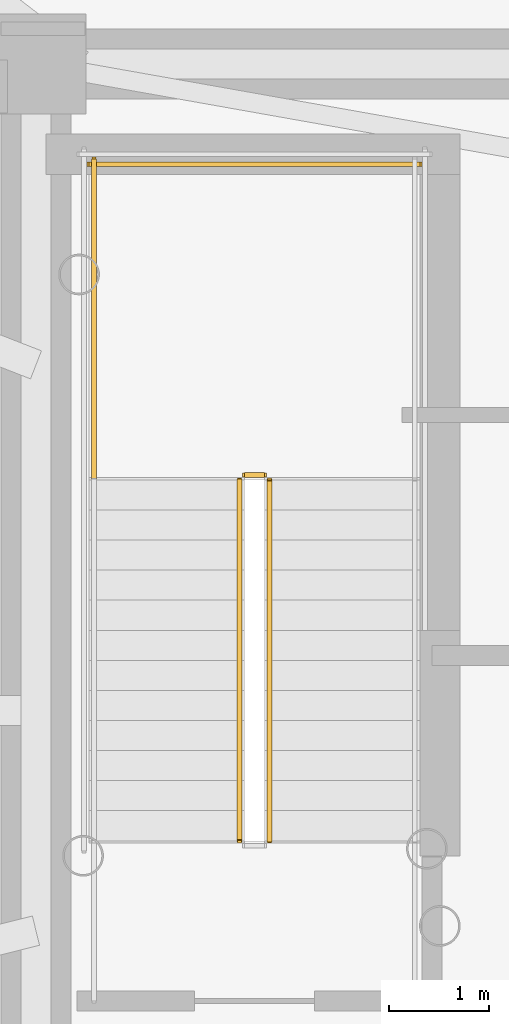
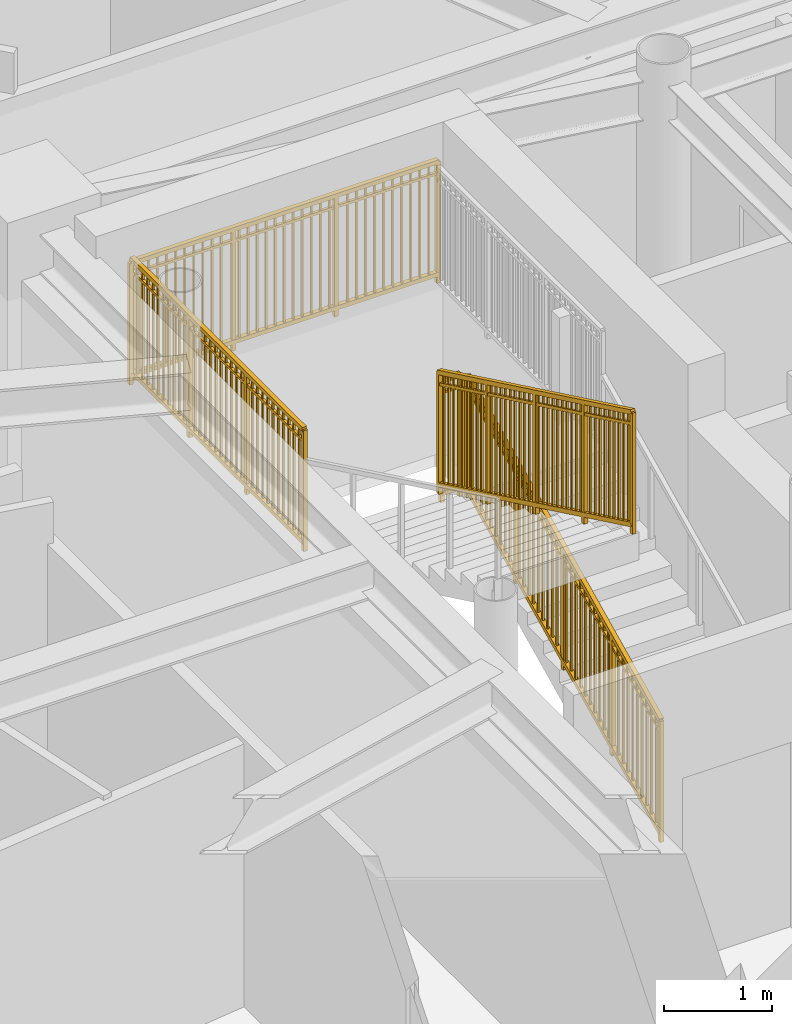
# One storey, part 13 of 17: 5 railings.
"""IFC4 building model written with IfcOpenShell, lengths in metres."""

from ifc_helpers import new_model, si_unit, direction, frame, origin, origin_2d, place, context, subcontext, project, spatial, rectangle, extrude, source, transform, mapped, material, type_object, element, save


model = new_model("IFC4")

# Units and contexts
model_context = context("Model", 3, precision=1e-05, world=origin(), true_north=direction((0.0, 1.0)))
body_context = subcontext(model_context, "Body", "Model", "MODEL_VIEW")
ifc_project = project(units=[si_unit("LENGTHUNIT", "METRE"), si_unit("AREAUNIT", "SQUARE_METRE"), si_unit("VOLUMEUNIT", "CUBIC_METRE"), si_unit("PLANEANGLEUNIT", "RADIAN"), si_unit("MASSUNIT", "GRAM", prefix="KILO")], contexts=[model_context])

# Site, building, storey
site_placement = place(None, origin())
site = spatial("IfcSite", under=ifc_project, at=site_placement, CompositionType="ELEMENT")
building_placement = place(site_placement, origin())
building = spatial("IfcBuilding", under=site, at=building_placement, Name="Linh Dai School and Residence Tower", CompositionType="ELEMENT")
storey_placement = place(building_placement, frame((0.0, 0.0, 303.0)))
storey = spatial("IfcBuildingStorey", under=building, at=storey_placement, Name="L75", CompositionType="ELEMENT", Elevation=303.0)

# Railings
ifc_material = material(Name="Structural Steel S355JR", Category="steel")
railing_type = type_object("IfcRailingType", Name="RL-ST-GUARD-1400", PredefinedType="GUARDRAIL", material=ifc_material)
shared_shape_1 = source(origin(), body_context, "Body", "SweptSolid", [
    extrude(rectangle(XDim=0.048095703125, YDim=0.048095703125, at=origin_2d()), frame((0.0, 0.0, 1.3759765625), z_axis=(-1.0, 0.0, 0.0), x_axis=(0.0, -1.0, 0.0)), (0.0, 0.0, 1.0), 0.199951171875),
    extrude(rectangle(XDim=0.048095703125, YDim=0.048095703125, at=origin_2d()), frame((0.0, 0.0, 0.10009765625), z_axis=(-1.0, 0.0, 0.0), x_axis=(0.0, -1.0, 0.0)), (0.0, 0.0, 1.0), 0.199951171875),
    extrude(rectangle(XDim=0.030029296875, YDim=0.030029296875, at=origin_2d()), frame((0.0, 0.0, 1.239990234375), z_axis=(-1.0, 0.0, 0.0), x_axis=(0.0, -1.0, 0.0)), (0.0, 0.0, 1.0), 0.199951171875),
    extrude(rectangle(XDim=0.0419921875, YDim=0.0419921875, at=origin_2d()), origin(), (0.0, 0.0, 1.0), 1.3759765625),
    extrude(rectangle(XDim=0.0419921875, YDim=0.0419921875, at=origin_2d()), frame((-0.199951171875, 0.0, 0.0)), (0.0, 0.0, 1.0), 1.3759765625),
])
railing_1_placement = place(storey_placement, frame((29.429931640625, 29.35009765625, 1.875)))
element("IfcRailing", 1, at=railing_1_placement, inside=storey, type_object=railing_type, Name="L75 ST1 stair guard 2", PredefinedType="GUARDRAIL", context=body_context, shape_type="MappedRepresentation", body=[
    mapped(shared_shape_1, transform((0.0, 0.0, 0.0), x_axis=(1.0, 0.0, 0.0), y_axis=(0.0, 1.0, 0.0), z_axis=(0.0, 0.0, 1.0), scale=1.0)),
])
shared_shape_2 = source(origin(), body_context, "Body", "SweptSolid", [
    extrude(rectangle(XDim=0.048095703125, YDim=0.048095703125, at=origin_2d()), frame((0.0, 0.0, 1.3759765625), z_axis=(-1.0, 0.0, 0.0), x_axis=(0.0, -1.0, 0.0)), (0.0, 0.0, 1.0), 3.300048828125),
    extrude(rectangle(XDim=0.048095703125, YDim=0.048095703125, at=origin_2d()), frame((0.0, 0.0, 0.10009765625), z_axis=(-1.0, 0.0, 0.0), x_axis=(0.0, -1.0, 0.0)), (0.0, 0.0, 1.0), 3.300048828125),
    extrude(rectangle(XDim=0.030029296875, YDim=0.030029296875, at=origin_2d()), frame((0.0, 0.0, 1.239990234375), z_axis=(-1.0, 0.0, 0.0), x_axis=(0.0, -1.0, 0.0)), (0.0, 0.0, 1.0), 3.300048828125),
    extrude(rectangle(XDim=0.02001953125, YDim=0.02001953125, at=origin_2d()), frame((-0.09716796875, 0.0, 0.10009765625)), (0.0, 0.0, 1.0), 1.251708984375),
    extrude(rectangle(XDim=0.02001953125, YDim=0.02001953125, at=origin_2d()), frame((-0.194091796875, 0.0, 0.10009765625)), (0.0, 0.0, 1.0), 1.251708984375),
    extrude(rectangle(XDim=0.02001953125, YDim=0.02001953125, at=origin_2d()), frame((-0.291259765625, 0.0, 0.10009765625)), (0.0, 0.0, 1.0), 1.251708984375),
    extrude(rectangle(XDim=0.02001953125, YDim=0.02001953125, at=origin_2d()), frame((-0.38818359375, 0.0, 0.10009765625)), (0.0, 0.0, 1.0), 1.251708984375),
    extrude(rectangle(XDim=0.02001953125, YDim=0.02001953125, at=origin_2d()), frame((-0.4853515625, 0.0, 0.10009765625)), (0.0, 0.0, 1.0), 1.251708984375),
    extrude(rectangle(XDim=0.02001953125, YDim=0.02001953125, at=origin_2d()), frame((-0.582275390625, 0.0, 0.10009765625)), (0.0, 0.0, 1.0), 1.251708984375),
    extrude(rectangle(XDim=0.02001953125, YDim=0.02001953125, at=origin_2d()), frame((-0.679443359375, 0.0, 0.10009765625)), (0.0, 0.0, 1.0), 1.251708984375),
    extrude(rectangle(XDim=0.02001953125, YDim=0.02001953125, at=origin_2d()), frame((-0.7763671875, 0.0, 0.10009765625)), (0.0, 0.0, 1.0), 1.251708984375),
    extrude(rectangle(XDim=0.02001953125, YDim=0.02001953125, at=origin_2d()), frame((-0.87353515625, 0.0, 0.10009765625)), (0.0, 0.0, 1.0), 1.251708984375),
    extrude(rectangle(XDim=0.02001953125, YDim=0.02001953125, at=origin_2d()), frame((-0.970703125, 0.0, 0.10009765625)), (0.0, 0.0, 1.0), 1.251708984375),
    extrude(rectangle(XDim=0.02001953125, YDim=0.02001953125, at=origin_2d()), frame((-1.164794921875, 0.0, 0.10009765625)), (0.0, 0.0, 1.0), 1.251708984375),
    extrude(rectangle(XDim=0.02001953125, YDim=0.02001953125, at=origin_2d()), frame((-1.26171875, 0.0, 0.10009765625)), (0.0, 0.0, 1.0), 1.251708984375),
    extrude(rectangle(XDim=0.02001953125, YDim=0.02001953125, at=origin_2d()), frame((-1.35888671875, 0.0, 0.10009765625)), (0.0, 0.0, 1.0), 1.251708984375),
    extrude(rectangle(XDim=0.02001953125, YDim=0.02001953125, at=origin_2d()), frame((-1.455810546875, 0.0, 0.10009765625)), (0.0, 0.0, 1.0), 1.251708984375),
    extrude(rectangle(XDim=0.02001953125, YDim=0.02001953125, at=origin_2d()), frame((-1.552978515625, 0.0, 0.10009765625)), (0.0, 0.0, 1.0), 1.251708984375),
    extrude(rectangle(XDim=0.02001953125, YDim=0.02001953125, at=origin_2d()), frame((-1.64990234375, 0.0, 0.10009765625)), (0.0, 0.0, 1.0), 1.251708984375),
    extrude(rectangle(XDim=0.02001953125, YDim=0.02001953125, at=origin_2d()), frame((-1.7470703125, 0.0, 0.10009765625)), (0.0, 0.0, 1.0), 1.251708984375),
    extrude(rectangle(XDim=0.02001953125, YDim=0.02001953125, at=origin_2d()), frame((-1.84423828125, 0.0, 0.10009765625)), (0.0, 0.0, 1.0), 1.251708984375),
    extrude(rectangle(XDim=0.02001953125, YDim=0.02001953125, at=origin_2d()), frame((-1.941162109375, 0.0, 0.10009765625)), (0.0, 0.0, 1.0), 1.251708984375),
    extrude(rectangle(XDim=0.02001953125, YDim=0.02001953125, at=origin_2d()), frame((-2.038330078125, 0.0, 0.10009765625)), (0.0, 0.0, 1.0), 1.251708984375),
    extrude(rectangle(XDim=0.02001953125, YDim=0.02001953125, at=origin_2d()), frame((-2.13525390625, 0.0, 0.10009765625)), (0.0, 0.0, 1.0), 1.251708984375),
    extrude(rectangle(XDim=0.02001953125, YDim=0.02001953125, at=origin_2d()), frame((-2.329345703125, 0.0, 0.10009765625)), (0.0, 0.0, 1.0), 1.251708984375),
    extrude(rectangle(XDim=0.02001953125, YDim=0.02001953125, at=origin_2d()), frame((-2.426513671875, 0.0, 0.10009765625)), (0.0, 0.0, 1.0), 1.251708984375),
    extrude(rectangle(XDim=0.02001953125, YDim=0.02001953125, at=origin_2d()), frame((-2.523681640625, 0.0, 0.10009765625)), (0.0, 0.0, 1.0), 1.251708984375),
    extrude(rectangle(XDim=0.02001953125, YDim=0.02001953125, at=origin_2d()), frame((-2.62060546875, 0.0, 0.10009765625)), (0.0, 0.0, 1.0), 1.251708984375),
    extrude(rectangle(XDim=0.02001953125, YDim=0.02001953125, at=origin_2d()), frame((-2.7177734375, 0.0, 0.10009765625)), (0.0, 0.0, 1.0), 1.251708984375),
    extrude(rectangle(XDim=0.02001953125, YDim=0.02001953125, at=origin_2d()), frame((-2.814697265625, 0.0, 0.10009765625)), (0.0, 0.0, 1.0), 1.251708984375),
    extrude(rectangle(XDim=0.02001953125, YDim=0.02001953125, at=origin_2d()), frame((-2.911865234375, 0.0, 0.10009765625)), (0.0, 0.0, 1.0), 1.251708984375),
    extrude(rectangle(XDim=0.02001953125, YDim=0.02001953125, at=origin_2d()), frame((-3.0087890625, 0.0, 0.10009765625)), (0.0, 0.0, 1.0), 1.251708984375),
    extrude(rectangle(XDim=0.02001953125, YDim=0.02001953125, at=origin_2d()), frame((-3.10595703125, 0.0, 0.10009765625)), (0.0, 0.0, 1.0), 1.251708984375),
    extrude(rectangle(XDim=0.02001953125, YDim=0.02001953125, at=origin_2d()), frame((-3.202880859375, 0.0, 0.10009765625)), (0.0, 0.0, 1.0), 1.251708984375),
    extrude(rectangle(XDim=0.0419921875, YDim=0.0419921875, at=origin_2d()), origin(), (0.0, 0.0, 1.0), 1.3759765625),
    extrude(rectangle(XDim=0.0419921875, YDim=0.0419921875, at=origin_2d()), frame((-1.10009765625, 0.0, 0.0)), (0.0, 0.0, 1.0), 1.3759765625),
    extrude(rectangle(XDim=0.0419921875, YDim=0.0419921875, at=origin_2d()), frame((-2.199951171875, 0.0, 0.0)), (0.0, 0.0, 1.0), 1.3759765625),
    extrude(rectangle(XDim=0.0419921875, YDim=0.0419921875, at=origin_2d()), frame((-3.300048828125, 0.0, 0.0)), (0.0, 0.0, 1.0), 1.3759765625),
])
railing_2_placement = place(storey_placement, frame((30.97998046875, 32.449951171875, 1.875)))
element("IfcRailing", 2, at=railing_2_placement, inside=storey, type_object=railing_type, Name="L75 ST1 stair guard 5", PredefinedType="GUARDRAIL", context=body_context, shape_type="MappedRepresentation", body=[
    mapped(shared_shape_2, transform((0.0, 0.0, 0.0), x_axis=(1.0, 0.0, 0.0), y_axis=(0.0, 1.0, 0.0), z_axis=(0.0, 0.0, 1.0), scale=1.0)),
])
shared_shape_3 = source(origin(), body_context, "Body", "SweptSolid", [
    extrude(rectangle(XDim=0.048095703125, YDim=0.048095703125, at=origin_2d()), frame((0.0, 0.0, 1.3759765625), z_axis=(0.0, 0.901262522062, 0.433273431364), x_axis=(-1.0, 0.0, 0.0)), (0.0, 0.0, 1.0), 3.994384765625),
    extrude(rectangle(XDim=0.048095703125, YDim=0.048095703125, at=origin_2d()), frame((0.0, 0.0, 0.10009765625), z_axis=(0.0, 0.901262522062, 0.433273431364), x_axis=(-1.0, 0.0, 0.0)), (0.0, 0.0, 1.0), 3.994384765625),
    extrude(rectangle(XDim=0.030029296875, YDim=0.030029296875, at=origin_2d()), frame((0.0, 0.0, 1.239990234375), z_axis=(0.0, 0.901262522062, 0.433273431364), x_axis=(-1.0, 0.0, 0.0)), (0.0, 0.0, 1.0), 3.994384765625),
    extrude(rectangle(XDim=0.02001953125, YDim=0.02001953125, at=origin_2d()), frame((0.0, 0.087890625, 0.142333984375)), (0.0, 0.0, 1.0), 1.251708984375),
    extrude(rectangle(XDim=0.02001953125, YDim=0.02001953125, at=origin_2d()), frame((0.0, 0.175537109375, 0.1845703125)), (0.0, 0.0, 1.0), 1.251708984375),
    extrude(rectangle(XDim=0.02001953125, YDim=0.02001953125, at=origin_2d()), frame((0.0, 0.263427734375, 0.226806640625)), (0.0, 0.0, 1.0), 1.251708984375),
    extrude(rectangle(XDim=0.02001953125, YDim=0.02001953125, at=origin_2d()), frame((0.0, 0.351318359375, 0.26904296875)), (0.0, 0.0, 1.0), 1.251708984375),
    extrude(rectangle(XDim=0.02001953125, YDim=0.02001953125, at=origin_2d()), frame((0.0, 0.43896484375, 0.311279296875)), (0.0, 0.0, 1.0), 1.251708984375),
    extrude(rectangle(XDim=0.02001953125, YDim=0.02001953125, at=origin_2d()), frame((0.0, 0.52685546875, 0.353271484375)), (0.0, 0.0, 1.0), 1.251708984375),
    extrude(rectangle(XDim=0.02001953125, YDim=0.02001953125, at=origin_2d()), frame((0.0, 0.61474609375, 0.3955078125)), (0.0, 0.0, 1.0), 1.251708984375),
    extrude(rectangle(XDim=0.02001953125, YDim=0.02001953125, at=origin_2d()), frame((0.0, 0.702392578125, 0.437744140625)), (0.0, 0.0, 1.0), 1.251708984375),
    extrude(rectangle(XDim=0.02001953125, YDim=0.02001953125, at=origin_2d()), frame((0.0, 0.790283203125, 0.47998046875)), (0.0, 0.0, 1.0), 1.251708984375),
    extrude(rectangle(XDim=0.02001953125, YDim=0.02001953125, at=origin_2d()), frame((0.0, 0.9658203125, 0.564453125)), (0.0, 0.0, 1.0), 1.251708984375),
    extrude(rectangle(XDim=0.02001953125, YDim=0.02001953125, at=origin_2d()), frame((0.0, 1.0537109375, 0.606689453125)), (0.0, 0.0, 1.0), 1.251708984375),
    extrude(rectangle(XDim=0.02001953125, YDim=0.02001953125, at=origin_2d()), frame((0.0, 1.1416015625, 0.64892578125)), (0.0, 0.0, 1.0), 1.251708984375),
    extrude(rectangle(XDim=0.02001953125, YDim=0.02001953125, at=origin_2d()), frame((0.0, 1.229248046875, 0.691162109375)), (0.0, 0.0, 1.0), 1.251708984375),
    extrude(rectangle(XDim=0.02001953125, YDim=0.02001953125, at=origin_2d()), frame((0.0, 1.317138671875, 0.7333984375)), (0.0, 0.0, 1.0), 1.251708984375),
    extrude(rectangle(XDim=0.02001953125, YDim=0.02001953125, at=origin_2d()), frame((0.0, 1.405029296875, 0.775390625)), (0.0, 0.0, 1.0), 1.251708984375),
    extrude(rectangle(XDim=0.02001953125, YDim=0.02001953125, at=origin_2d()), frame((0.0, 1.49267578125, 0.817626953125)), (0.0, 0.0, 1.0), 1.251708984375),
    extrude(rectangle(XDim=0.02001953125, YDim=0.02001953125, at=origin_2d()), frame((0.0, 1.58056640625, 0.85986328125)), (0.0, 0.0, 1.0), 1.251708984375),
    extrude(rectangle(XDim=0.02001953125, YDim=0.02001953125, at=origin_2d()), frame((0.0, 1.66845703125, 0.902099609375)), (0.0, 0.0, 1.0), 1.251708984375),
    extrude(rectangle(XDim=0.02001953125, YDim=0.02001953125, at=origin_2d()), frame((0.0, 1.756103515625, 0.9443359375)), (0.0, 0.0, 1.0), 1.251708984375),
    extrude(rectangle(XDim=0.02001953125, YDim=0.02001953125, at=origin_2d()), frame((0.0, 1.843994140625, 0.986572265625)), (0.0, 0.0, 1.0), 1.251708984375),
    extrude(rectangle(XDim=0.02001953125, YDim=0.02001953125, at=origin_2d()), frame((0.0, 1.931640625, 1.02880859375)), (0.0, 0.0, 1.0), 1.251708984375),
    extrude(rectangle(XDim=0.02001953125, YDim=0.02001953125, at=origin_2d()), frame((0.0, 2.01953125, 1.071044921875)), (0.0, 0.0, 1.0), 1.251708984375),
    extrude(rectangle(XDim=0.02001953125, YDim=0.02001953125, at=origin_2d()), frame((0.0, 2.107421875, 1.11328125)), (0.0, 0.0, 1.0), 1.251708984375),
    extrude(rectangle(XDim=0.02001953125, YDim=0.02001953125, at=origin_2d()), frame((0.0, 2.195068359375, 1.155517578125)), (0.0, 0.0, 1.0), 1.251708984375),
    extrude(rectangle(XDim=0.02001953125, YDim=0.02001953125, at=origin_2d()), frame((0.0, 2.282958984375, 1.197509765625)), (0.0, 0.0, 1.0), 1.251708984375),
    extrude(rectangle(XDim=0.02001953125, YDim=0.02001953125, at=origin_2d()), frame((0.0, 2.370849609375, 1.23974609375)), (0.0, 0.0, 1.0), 1.251708984375),
    extrude(rectangle(XDim=0.02001953125, YDim=0.02001953125, at=origin_2d()), frame((0.0, 2.45849609375, 1.281982421875)), (0.0, 0.0, 1.0), 1.251708984375),
    extrude(rectangle(XDim=0.02001953125, YDim=0.02001953125, at=origin_2d()), frame((0.0, 2.54638671875, 1.32421875)), (0.0, 0.0, 1.0), 1.251708984375),
    extrude(rectangle(XDim=0.02001953125, YDim=0.02001953125, at=origin_2d()), frame((0.0, 2.63427734375, 1.366455078125)), (0.0, 0.0, 1.0), 1.251708984375),
    extrude(rectangle(XDim=0.02001953125, YDim=0.02001953125, at=origin_2d()), frame((0.0, 2.809814453125, 1.450927734375)), (0.0, 0.0, 1.0), 1.251708984375),
    extrude(rectangle(XDim=0.02001953125, YDim=0.02001953125, at=origin_2d()), frame((0.0, 2.897705078125, 1.4931640625)), (0.0, 0.0, 1.0), 1.251708984375),
    extrude(rectangle(XDim=0.02001953125, YDim=0.02001953125, at=origin_2d()), frame((0.0, 2.9853515625, 1.535400390625)), (0.0, 0.0, 1.0), 1.251708984375),
    extrude(rectangle(XDim=0.02001953125, YDim=0.02001953125, at=origin_2d()), frame((0.0, 3.0732421875, 1.57763671875)), (0.0, 0.0, 1.0), 1.251708984375),
    extrude(rectangle(XDim=0.02001953125, YDim=0.02001953125, at=origin_2d()), frame((0.0, 3.1611328125, 1.61962890625)), (0.0, 0.0, 1.0), 1.251708984375),
    extrude(rectangle(XDim=0.02001953125, YDim=0.02001953125, at=origin_2d()), frame((0.0, 3.248779296875, 1.661865234375)), (0.0, 0.0, 1.0), 1.251708984375),
    extrude(rectangle(XDim=0.02001953125, YDim=0.02001953125, at=origin_2d()), frame((0.0, 3.336669921875, 1.7041015625)), (0.0, 0.0, 1.0), 1.251708984375),
    extrude(rectangle(XDim=0.02001953125, YDim=0.02001953125, at=origin_2d()), frame((0.0, 3.424560546875, 1.746337890625)), (0.0, 0.0, 1.0), 1.251708984375),
    extrude(rectangle(XDim=0.02001953125, YDim=0.02001953125, at=origin_2d()), frame((0.0, 3.51220703125, 1.78857421875)), (0.0, 0.0, 1.0), 1.251708984375),
    extrude(rectangle(XDim=0.0419921875, YDim=0.0419921875, at=origin_2d()), origin(), (0.0, 0.0, 1.0), 1.3759765625),
    extrude(rectangle(XDim=0.0419921875, YDim=0.0419921875, at=origin_2d()), frame((0.0, 0.89990234375, 0.4326171875)), (0.0, 0.0, 1.0), 1.3759765625),
    extrude(rectangle(XDim=0.0419921875, YDim=0.0419921875, at=origin_2d()), frame((0.0, 1.800048828125, 0.865234375)), (0.0, 0.0, 1.0), 1.3759765625),
    extrude(rectangle(XDim=0.0419921875, YDim=0.0419921875, at=origin_2d()), frame((0.0, 2.7001953125, 1.298095703125)), (0.0, 0.0, 1.0), 1.3759765625),
    extrude(rectangle(XDim=0.0419921875, YDim=0.0419921875, at=origin_2d()), frame((0.0, 3.60009765625, 1.730712890625)), (0.0, 0.0, 1.0), 1.3759765625),
])
railing_3_placement = place(storey_placement, frame((29.47998046875, 25.699951171875, 0.144287109375)))
element("IfcRailing", 3, at=railing_3_placement, inside=storey, type_object=railing_type, Name="L75 ST1 stair guard 1", PredefinedType="GUARDRAIL", context=body_context, shape_type="MappedRepresentation", body=[
    mapped(shared_shape_3, transform((0.0, 0.0, 0.0), x_axis=(1.0, 0.0, 0.0), y_axis=(0.0, 1.0, 0.0), z_axis=(0.0, 0.0, 1.0), scale=1.0)),
])
shared_shape_4 = source(origin(), body_context, "Body", "SweptSolid", [
    extrude(rectangle(XDim=0.048095703125, YDim=0.048095703125, at=origin_2d()), frame((0.0, 0.0, 1.3759765625), z_axis=(0.0, 1.0, 0.0), x_axis=(-1.0, 0.0, 0.0)), (0.0, 0.0, 1.0), 3.199951171875),
    extrude(rectangle(XDim=0.048095703125, YDim=0.048095703125, at=origin_2d()), frame((0.0, 0.0, 0.10009765625), z_axis=(0.0, 1.0, 0.0), x_axis=(-1.0, 0.0, 0.0)), (0.0, 0.0, 1.0), 3.199951171875),
    extrude(rectangle(XDim=0.030029296875, YDim=0.030029296875, at=origin_2d()), frame((0.0, 0.0, 1.239990234375), z_axis=(0.0, 1.0, 0.0), x_axis=(-1.0, 0.0, 0.0)), (0.0, 0.0, 1.0), 3.199951171875),
    extrude(rectangle(XDim=0.02001953125, YDim=0.02001953125, at=origin_2d()), frame((0.0, 0.096923828125, 0.10009765625)), (0.0, 0.0, 1.0), 1.251708984375),
    extrude(rectangle(XDim=0.02001953125, YDim=0.02001953125, at=origin_2d()), frame((0.0, 0.19384765625, 0.10009765625)), (0.0, 0.0, 1.0), 1.251708984375),
    extrude(rectangle(XDim=0.02001953125, YDim=0.02001953125, at=origin_2d()), frame((0.0, 0.291015625, 0.10009765625)), (0.0, 0.0, 1.0), 1.251708984375),
    extrude(rectangle(XDim=0.02001953125, YDim=0.02001953125, at=origin_2d()), frame((0.0, 0.387939453125, 0.10009765625)), (0.0, 0.0, 1.0), 1.251708984375),
    extrude(rectangle(XDim=0.02001953125, YDim=0.02001953125, at=origin_2d()), frame((0.0, 0.48486328125, 0.10009765625)), (0.0, 0.0, 1.0), 1.251708984375),
    extrude(rectangle(XDim=0.02001953125, YDim=0.02001953125, at=origin_2d()), frame((0.0, 0.581787109375, 0.10009765625)), (0.0, 0.0, 1.0), 1.251708984375),
    extrude(rectangle(XDim=0.02001953125, YDim=0.02001953125, at=origin_2d()), frame((0.0, 0.6787109375, 0.10009765625)), (0.0, 0.0, 1.0), 1.251708984375),
    extrude(rectangle(XDim=0.02001953125, YDim=0.02001953125, at=origin_2d()), frame((0.0, 0.775634765625, 0.10009765625)), (0.0, 0.0, 1.0), 1.251708984375),
    extrude(rectangle(XDim=0.02001953125, YDim=0.02001953125, at=origin_2d()), frame((0.0, 0.872802734375, 0.10009765625)), (0.0, 0.0, 1.0), 1.251708984375),
    extrude(rectangle(XDim=0.02001953125, YDim=0.02001953125, at=origin_2d()), frame((0.0, 0.9697265625, 0.10009765625)), (0.0, 0.0, 1.0), 1.251708984375),
    extrude(rectangle(XDim=0.02001953125, YDim=0.02001953125, at=origin_2d()), frame((0.0, 1.16357421875, 0.10009765625)), (0.0, 0.0, 1.0), 1.251708984375),
    extrude(rectangle(XDim=0.02001953125, YDim=0.02001953125, at=origin_2d()), frame((0.0, 1.260498046875, 0.10009765625)), (0.0, 0.0, 1.0), 1.251708984375),
    extrude(rectangle(XDim=0.02001953125, YDim=0.02001953125, at=origin_2d()), frame((0.0, 1.357666015625, 0.10009765625)), (0.0, 0.0, 1.0), 1.251708984375),
    extrude(rectangle(XDim=0.02001953125, YDim=0.02001953125, at=origin_2d()), frame((0.0, 1.45458984375, 0.10009765625)), (0.0, 0.0, 1.0), 1.251708984375),
    extrude(rectangle(XDim=0.02001953125, YDim=0.02001953125, at=origin_2d()), frame((0.0, 1.551513671875, 0.10009765625)), (0.0, 0.0, 1.0), 1.251708984375),
    extrude(rectangle(XDim=0.02001953125, YDim=0.02001953125, at=origin_2d()), frame((0.0, 1.6484375, 0.10009765625)), (0.0, 0.0, 1.0), 1.251708984375),
    extrude(rectangle(XDim=0.02001953125, YDim=0.02001953125, at=origin_2d()), frame((0.0, 1.745361328125, 0.10009765625)), (0.0, 0.0, 1.0), 1.251708984375),
    extrude(rectangle(XDim=0.02001953125, YDim=0.02001953125, at=origin_2d()), frame((0.0, 1.84228515625, 0.10009765625)), (0.0, 0.0, 1.0), 1.251708984375),
    extrude(rectangle(XDim=0.02001953125, YDim=0.02001953125, at=origin_2d()), frame((0.0, 1.939453125, 0.10009765625)), (0.0, 0.0, 1.0), 1.251708984375),
    extrude(rectangle(XDim=0.02001953125, YDim=0.02001953125, at=origin_2d()), frame((0.0, 2.036376953125, 0.10009765625)), (0.0, 0.0, 1.0), 1.251708984375),
    extrude(rectangle(XDim=0.02001953125, YDim=0.02001953125, at=origin_2d()), frame((0.0, 2.230224609375, 0.10009765625)), (0.0, 0.0, 1.0), 1.251708984375),
    extrude(rectangle(XDim=0.02001953125, YDim=0.02001953125, at=origin_2d()), frame((0.0, 2.3271484375, 0.10009765625)), (0.0, 0.0, 1.0), 1.251708984375),
    extrude(rectangle(XDim=0.02001953125, YDim=0.02001953125, at=origin_2d()), frame((0.0, 2.42431640625, 0.10009765625)), (0.0, 0.0, 1.0), 1.251708984375),
    extrude(rectangle(XDim=0.02001953125, YDim=0.02001953125, at=origin_2d()), frame((0.0, 2.521240234375, 0.10009765625)), (0.0, 0.0, 1.0), 1.251708984375),
    extrude(rectangle(XDim=0.02001953125, YDim=0.02001953125, at=origin_2d()), frame((0.0, 2.6181640625, 0.10009765625)), (0.0, 0.0, 1.0), 1.251708984375),
    extrude(rectangle(XDim=0.02001953125, YDim=0.02001953125, at=origin_2d()), frame((0.0, 2.715087890625, 0.10009765625)), (0.0, 0.0, 1.0), 1.251708984375),
    extrude(rectangle(XDim=0.02001953125, YDim=0.02001953125, at=origin_2d()), frame((0.0, 2.81201171875, 0.10009765625)), (0.0, 0.0, 1.0), 1.251708984375),
    extrude(rectangle(XDim=0.02001953125, YDim=0.02001953125, at=origin_2d()), frame((0.0, 2.908935546875, 0.10009765625)), (0.0, 0.0, 1.0), 1.251708984375),
    extrude(rectangle(XDim=0.02001953125, YDim=0.02001953125, at=origin_2d()), frame((0.0, 3.006103515625, 0.10009765625)), (0.0, 0.0, 1.0), 1.251708984375),
    extrude(rectangle(XDim=0.02001953125, YDim=0.02001953125, at=origin_2d()), frame((0.0, 3.10302734375, 0.10009765625)), (0.0, 0.0, 1.0), 1.251708984375),
    extrude(rectangle(XDim=0.0419921875, YDim=0.0419921875, at=origin_2d()), origin(), (0.0, 0.0, 1.0), 1.3759765625),
    extrude(rectangle(XDim=0.0419921875, YDim=0.0419921875, at=origin_2d()), frame((0.0, 1.066650390625, 0.0)), (0.0, 0.0, 1.0), 1.3759765625),
    extrude(rectangle(XDim=0.0419921875, YDim=0.0419921875, at=origin_2d()), frame((0.0, 2.13330078125, 0.0)), (0.0, 0.0, 1.0), 1.3759765625),
    extrude(rectangle(XDim=0.0419921875, YDim=0.0419921875, at=origin_2d()), frame((0.0, 3.199951171875, 0.0)), (0.0, 0.0, 1.0), 1.3759765625),
])
railing_4_placement = place(storey_placement, frame((27.72998046875, 29.300048828125, 1.875)))
element("IfcRailing", 4, at=railing_4_placement, inside=storey, type_object=railing_type, Name="L75 ST1 stair guard 4", PredefinedType="GUARDRAIL", context=body_context, shape_type="MappedRepresentation", body=[
    mapped(shared_shape_4, transform((0.0, 0.0, 0.0), x_axis=(1.0, 0.0, 0.0), y_axis=(0.0, 1.0, 0.0), z_axis=(0.0, 0.0, 1.0), scale=1.0)),
])
shared_shape_5 = source(origin(), body_context, "Body", "SweptSolid", [
    extrude(rectangle(XDim=0.048095703125, YDim=0.048095703125, at=origin_2d()), frame((0.0, 0.0, 1.3759765625), z_axis=(0.0, -0.901262522062, 0.433273431364), x_axis=(1.0, 0.0, 0.0)), (0.0, 0.0, 1.0), 3.994384765625),
    extrude(rectangle(XDim=0.048095703125, YDim=0.048095703125, at=origin_2d()), frame((0.0, 0.0, 0.10009765625), z_axis=(0.0, -0.901262522062, 0.433273431364), x_axis=(1.0, 0.0, 0.0)), (0.0, 0.0, 1.0), 3.994384765625),
    extrude(rectangle(XDim=0.030029296875, YDim=0.030029296875, at=origin_2d()), frame((0.0, 0.0, 1.239990234375), z_axis=(0.0, -0.901262522062, 0.433273431364), x_axis=(1.0, 0.0, 0.0)), (0.0, 0.0, 1.0), 3.994384765625),
    extrude(rectangle(XDim=0.02001953125, YDim=0.02001953125, at=origin_2d()), frame((0.0, -0.087890625, 0.142333984375)), (0.0, 0.0, 1.0), 1.251708984375),
    extrude(rectangle(XDim=0.02001953125, YDim=0.02001953125, at=origin_2d()), frame((0.0, -0.175537109375, 0.1845703125)), (0.0, 0.0, 1.0), 1.251708984375),
    extrude(rectangle(XDim=0.02001953125, YDim=0.02001953125, at=origin_2d()), frame((0.0, -0.263427734375, 0.226806640625)), (0.0, 0.0, 1.0), 1.251708984375),
    extrude(rectangle(XDim=0.02001953125, YDim=0.02001953125, at=origin_2d()), frame((0.0, -0.351318359375, 0.26904296875)), (0.0, 0.0, 1.0), 1.251708984375),
    extrude(rectangle(XDim=0.02001953125, YDim=0.02001953125, at=origin_2d()), frame((0.0, -0.43896484375, 0.311279296875)), (0.0, 0.0, 1.0), 1.251708984375),
    extrude(rectangle(XDim=0.02001953125, YDim=0.02001953125, at=origin_2d()), frame((0.0, -0.52685546875, 0.353271484375)), (0.0, 0.0, 1.0), 1.251708984375),
    extrude(rectangle(XDim=0.02001953125, YDim=0.02001953125, at=origin_2d()), frame((0.0, -0.61474609375, 0.3955078125)), (0.0, 0.0, 1.0), 1.251708984375),
    extrude(rectangle(XDim=0.02001953125, YDim=0.02001953125, at=origin_2d()), frame((0.0, -0.702392578125, 0.437744140625)), (0.0, 0.0, 1.0), 1.251708984375),
    extrude(rectangle(XDim=0.02001953125, YDim=0.02001953125, at=origin_2d()), frame((0.0, -0.790283203125, 0.47998046875)), (0.0, 0.0, 1.0), 1.251708984375),
    extrude(rectangle(XDim=0.02001953125, YDim=0.02001953125, at=origin_2d()), frame((0.0, -0.9658203125, 0.564453125)), (0.0, 0.0, 1.0), 1.251708984375),
    extrude(rectangle(XDim=0.02001953125, YDim=0.02001953125, at=origin_2d()), frame((0.0, -1.0537109375, 0.606689453125)), (0.0, 0.0, 1.0), 1.251708984375),
    extrude(rectangle(XDim=0.02001953125, YDim=0.02001953125, at=origin_2d()), frame((0.0, -1.1416015625, 0.64892578125)), (0.0, 0.0, 1.0), 1.251708984375),
    extrude(rectangle(XDim=0.02001953125, YDim=0.02001953125, at=origin_2d()), frame((0.0, -1.229248046875, 0.691162109375)), (0.0, 0.0, 1.0), 1.251708984375),
    extrude(rectangle(XDim=0.02001953125, YDim=0.02001953125, at=origin_2d()), frame((0.0, -1.317138671875, 0.7333984375)), (0.0, 0.0, 1.0), 1.251708984375),
    extrude(rectangle(XDim=0.02001953125, YDim=0.02001953125, at=origin_2d()), frame((0.0, -1.405029296875, 0.775390625)), (0.0, 0.0, 1.0), 1.251708984375),
    extrude(rectangle(XDim=0.02001953125, YDim=0.02001953125, at=origin_2d()), frame((0.0, -1.49267578125, 0.817626953125)), (0.0, 0.0, 1.0), 1.251708984375),
    extrude(rectangle(XDim=0.02001953125, YDim=0.02001953125, at=origin_2d()), frame((0.0, -1.58056640625, 0.85986328125)), (0.0, 0.0, 1.0), 1.251708984375),
    extrude(rectangle(XDim=0.02001953125, YDim=0.02001953125, at=origin_2d()), frame((0.0, -1.66845703125, 0.902099609375)), (0.0, 0.0, 1.0), 1.251708984375),
    extrude(rectangle(XDim=0.02001953125, YDim=0.02001953125, at=origin_2d()), frame((0.0, -1.756103515625, 0.9443359375)), (0.0, 0.0, 1.0), 1.251708984375),
    extrude(rectangle(XDim=0.02001953125, YDim=0.02001953125, at=origin_2d()), frame((0.0, -1.843994140625, 0.986572265625)), (0.0, 0.0, 1.0), 1.251708984375),
    extrude(rectangle(XDim=0.02001953125, YDim=0.02001953125, at=origin_2d()), frame((0.0, -1.931640625, 1.02880859375)), (0.0, 0.0, 1.0), 1.251708984375),
    extrude(rectangle(XDim=0.02001953125, YDim=0.02001953125, at=origin_2d()), frame((0.0, -2.01953125, 1.071044921875)), (0.0, 0.0, 1.0), 1.251708984375),
    extrude(rectangle(XDim=0.02001953125, YDim=0.02001953125, at=origin_2d()), frame((0.0, -2.107421875, 1.11328125)), (0.0, 0.0, 1.0), 1.251708984375),
    extrude(rectangle(XDim=0.02001953125, YDim=0.02001953125, at=origin_2d()), frame((0.0, -2.195068359375, 1.155517578125)), (0.0, 0.0, 1.0), 1.251708984375),
    extrude(rectangle(XDim=0.02001953125, YDim=0.02001953125, at=origin_2d()), frame((0.0, -2.282958984375, 1.197509765625)), (0.0, 0.0, 1.0), 1.251708984375),
    extrude(rectangle(XDim=0.02001953125, YDim=0.02001953125, at=origin_2d()), frame((0.0, -2.370849609375, 1.23974609375)), (0.0, 0.0, 1.0), 1.251708984375),
    extrude(rectangle(XDim=0.02001953125, YDim=0.02001953125, at=origin_2d()), frame((0.0, -2.45849609375, 1.281982421875)), (0.0, 0.0, 1.0), 1.251708984375),
    extrude(rectangle(XDim=0.02001953125, YDim=0.02001953125, at=origin_2d()), frame((0.0, -2.54638671875, 1.32421875)), (0.0, 0.0, 1.0), 1.251708984375),
    extrude(rectangle(XDim=0.02001953125, YDim=0.02001953125, at=origin_2d()), frame((0.0, -2.63427734375, 1.366455078125)), (0.0, 0.0, 1.0), 1.251708984375),
    extrude(rectangle(XDim=0.02001953125, YDim=0.02001953125, at=origin_2d()), frame((0.0, -2.809814453125, 1.450927734375)), (0.0, 0.0, 1.0), 1.251708984375),
    extrude(rectangle(XDim=0.02001953125, YDim=0.02001953125, at=origin_2d()), frame((0.0, -2.897705078125, 1.4931640625)), (0.0, 0.0, 1.0), 1.251708984375),
    extrude(rectangle(XDim=0.02001953125, YDim=0.02001953125, at=origin_2d()), frame((0.0, -2.9853515625, 1.535400390625)), (0.0, 0.0, 1.0), 1.251708984375),
    extrude(rectangle(XDim=0.02001953125, YDim=0.02001953125, at=origin_2d()), frame((0.0, -3.0732421875, 1.57763671875)), (0.0, 0.0, 1.0), 1.251708984375),
    extrude(rectangle(XDim=0.02001953125, YDim=0.02001953125, at=origin_2d()), frame((0.0, -3.1611328125, 1.61962890625)), (0.0, 0.0, 1.0), 1.251708984375),
    extrude(rectangle(XDim=0.02001953125, YDim=0.02001953125, at=origin_2d()), frame((0.0, -3.248779296875, 1.661865234375)), (0.0, 0.0, 1.0), 1.251708984375),
    extrude(rectangle(XDim=0.02001953125, YDim=0.02001953125, at=origin_2d()), frame((0.0, -3.336669921875, 1.7041015625)), (0.0, 0.0, 1.0), 1.251708984375),
    extrude(rectangle(XDim=0.02001953125, YDim=0.02001953125, at=origin_2d()), frame((0.0, -3.424560546875, 1.746337890625)), (0.0, 0.0, 1.0), 1.251708984375),
    extrude(rectangle(XDim=0.02001953125, YDim=0.02001953125, at=origin_2d()), frame((0.0, -3.51220703125, 1.78857421875)), (0.0, 0.0, 1.0), 1.251708984375),
    extrude(rectangle(XDim=0.0419921875, YDim=0.0419921875, at=origin_2d()), origin(), (0.0, 0.0, 1.0), 1.3759765625),
    extrude(rectangle(XDim=0.0419921875, YDim=0.0419921875, at=origin_2d()), frame((0.0, -0.89990234375, 0.4326171875)), (0.0, 0.0, 1.0), 1.3759765625),
    extrude(rectangle(XDim=0.0419921875, YDim=0.0419921875, at=origin_2d()), frame((0.0, -1.800048828125, 0.865234375)), (0.0, 0.0, 1.0), 1.3759765625),
    extrude(rectangle(XDim=0.0419921875, YDim=0.0419921875, at=origin_2d()), frame((0.0, -2.7001953125, 1.298095703125)), (0.0, 0.0, 1.0), 1.3759765625),
    extrude(rectangle(XDim=0.0419921875, YDim=0.0419921875, at=origin_2d()), frame((0.0, -3.60009765625, 1.730712890625)), (0.0, 0.0, 1.0), 1.3759765625),
])
railing_5_placement = place(storey_placement, frame((29.179931640625, 29.300048828125, 2.019287109375)))
element("IfcRailing", 5, at=railing_5_placement, inside=storey, type_object=railing_type, Name="L75 ST1 stair guard 6", PredefinedType="GUARDRAIL", context=body_context, shape_type="MappedRepresentation", body=[
    mapped(shared_shape_5, transform((0.0, 0.0, 0.0), x_axis=(1.0, 0.0, 0.0), y_axis=(0.0, 1.0, 0.0), z_axis=(0.0, 0.0, 1.0), scale=1.0)),
])

save(model, "model.ifc")
